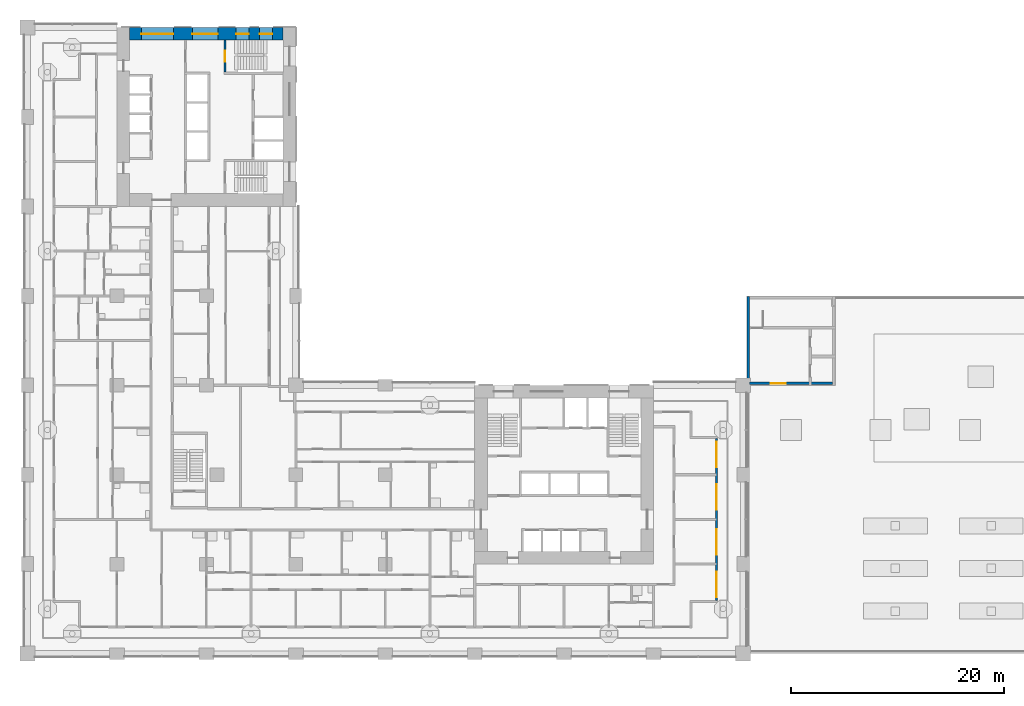
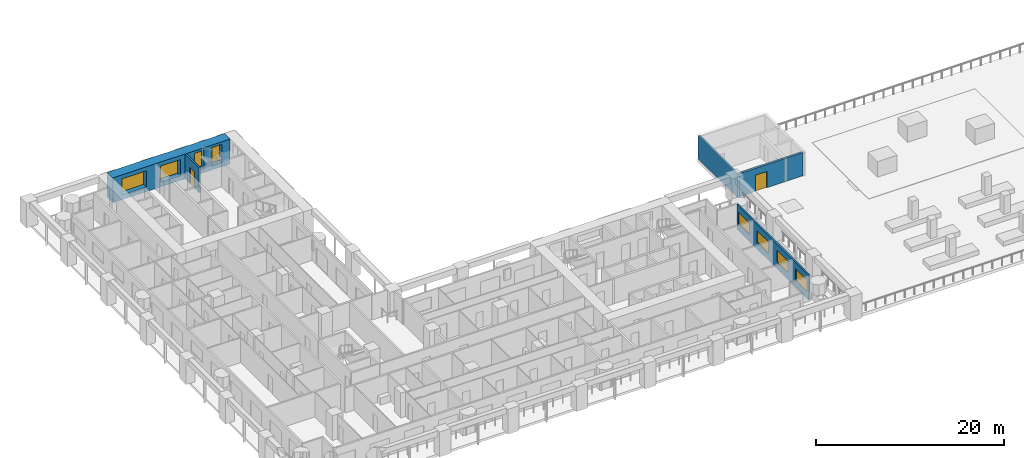
# One storey, part 10 of 23: 8 windows, 5 walls, 2 doors, 10 openings.
"""IFC4 building model written with IfcOpenShell, lengths in metres."""

from ifc_helpers import new_model, si_unit, direction, frame, frame_2d, origin, place, context, subcontext, project, spatial, rectangle, extrude, material, layer, layer_set, type_object, element, fill, save


model = new_model("IFC4")

# Units and contexts
model_context = context("Model", 3, precision=1e-05, world=origin(), true_north=direction((0.0, 1.0)))
body_context = subcontext(model_context, "Body", "Model", "MODEL_VIEW")
ifc_project = project(units=[si_unit("LENGTHUNIT", "METRE"), si_unit("AREAUNIT", "SQUARE_METRE"), si_unit("VOLUMEUNIT", "CUBIC_METRE"), si_unit("PLANEANGLEUNIT", "RADIAN"), si_unit("MASSUNIT", "GRAM", prefix="KILO")], contexts=[model_context])

# Site, building, storey
site_placement = place(None, origin())
site = spatial("IfcSite", under=ifc_project, at=site_placement, CompositionType="ELEMENT")
building_placement = place(site_placement, origin())
building = spatial("IfcBuilding", under=site, at=building_placement, Name="Vermilion Gate Residences", CompositionType="ELEMENT")
storey_placement = place(building_placement, frame((0.0, 0.0, 25.199951171875)))
storey = spatial("IfcBuildingStorey", under=building, at=storey_placement, Name="L04", CompositionType="ELEMENT", Elevation=25.199951171875)

# Wall, openings, windows
ifc_material_1 = material(Name="Insulated steel stud wall with terracotta rainscreen", Category="masonry")
ifc_layer_1 = layer(ifc_material_1, 0.199951171875)
ifc_layer_set_1 = layer_set([ifc_layer_1], Name="EXTERNAL WALL 200 TERRACOTTA RAINSCREEN")
wall_type_1 = type_object("IfcWallType", Name="EXTERNAL WALL 200 TERRACOTTA RAINSCREEN", PredefinedType="SOLIDWALL", material=ifc_layer_set_1)
wall_1_placement = place(storey_placement, frame((64.699951171875, 5.0, 0.0), z_axis=(0.0, 0.0, 1.0), x_axis=(0.0, 1.0, 0.0)))
wall_1 = element("IfcWall", 1, at=wall_1_placement, inside=storey, type_object=wall_type_1, Name="External wall", PredefinedType="SOLIDWALL", context=body_context, shape_type="SweptSolid", body=[
    extrude(rectangle(XDim=15.199951171875, YDim=0.199951171875, at=frame_2d((7.60009765625, 0.0))), origin(), (0.0, 0.0, 1.0), 3.219970703125),
])
opening_1_placement = place(wall_1_placement, frame((0.300048828125, 0.0, 0.89990234375)))
opening_1 = element("IfcOpeningElement", 2, at=opening_1_placement, cuts=wall_1, Name="Opening WE04028", PredefinedType="OPENING", context=body_context, shape_type="SweptSolid", body=[
    extrude(rectangle(XDim=2.39990234375, YDim=1.5, at=frame_2d((1.199951171875, 0.75))), frame((0.0, 0.10986328125, 0.0), z_axis=(0.0, -1.0, 0.0), x_axis=(1.0, 0.0, 0.0)), (0.0, 0.0, 1.0), 0.219970703125),
])
opening_2_placement = place(wall_1_placement, frame((4.300048828125, 0.0, 0.89990234375)))
opening_2 = element("IfcOpeningElement", 3, at=opening_2_placement, cuts=wall_1, Name="Opening WE04029", PredefinedType="OPENING", context=body_context, shape_type="SweptSolid", body=[
    extrude(rectangle(XDim=2.39990234375, YDim=1.5, at=frame_2d((1.199951171875, 0.75))), frame((0.0, 0.10986328125, 0.0), z_axis=(0.0, -1.0, 0.0), x_axis=(1.0, 0.0, 0.0)), (0.0, 0.0, 1.0), 0.219970703125),
])
opening_3_placement = place(wall_1_placement, frame((8.5, 0.0, 0.89990234375)))
opening_3 = element("IfcOpeningElement", 4, at=opening_3_placement, cuts=wall_1, Name="Opening WE04030", PredefinedType="OPENING", context=body_context, shape_type="SweptSolid", body=[
    extrude(rectangle(XDim=2.39990234375, YDim=1.5, at=frame_2d((1.199951171875, 0.75))), frame((0.0, 0.10986328125, 0.0), z_axis=(0.0, -1.0, 0.0), x_axis=(1.0, 0.0, 0.0)), (0.0, 0.0, 1.0), 0.219970703125),
])
opening_4_placement = place(wall_1_placement, frame((12.5, 0.0, 0.89990234375)))
opening_4 = element("IfcOpeningElement", 5, at=opening_4_placement, cuts=wall_1, Name="Opening WE04031", PredefinedType="OPENING", context=body_context, shape_type="SweptSolid", body=[
    extrude(rectangle(XDim=2.39990234375, YDim=1.5, at=frame_2d((1.199951171875, 0.75))), frame((0.0, 0.10986328125, 0.0), z_axis=(0.0, -1.0, 0.0), x_axis=(1.0, 0.0, 0.0)), (0.0, 0.0, 1.0), 0.219970703125),
])
ifc_material_2 = material(Name="Aluminium and clear glass", Category="aluminium")
window_type_1 = type_object("IfcWindowType", Name="WINDOW 2400 X 1500", PartitioningType="SINGLE_PANEL", PredefinedType="WINDOW", material=ifc_material_2)
window_1_placement = place(opening_1_placement, origin())
window_1 = element("IfcWindow", 6, at=window_1_placement, inside=storey, type_object=window_type_1, Name="Window", OverallHeight=1.5, OverallWidth=2.39990234375, PartitioningType="SINGLE_PANEL", PredefinedType="WINDOW", context=body_context, shape_type="SweptSolid", body=[
    extrude(rectangle(XDim=2.39990234375, YDim=1.5, at=frame_2d((1.199951171875, 0.75))), frame((0.0, 0.030029296875, 0.0), z_axis=(0.0, -1.0, 0.0), x_axis=(1.0, 0.0, 0.0)), (0.0, 0.0, 1.0), 0.06005859375),
])
fill(opening_1, window_1)
window_2_placement = place(opening_2_placement, origin())
window_2 = element("IfcWindow", 7, at=window_2_placement, inside=storey, type_object=window_type_1, Name="Window", OverallHeight=1.5, OverallWidth=2.39990234375, PartitioningType="SINGLE_PANEL", PredefinedType="WINDOW", context=body_context, shape_type="SweptSolid", body=[
    extrude(rectangle(XDim=2.39990234375, YDim=1.5, at=frame_2d((1.199951171875, 0.75))), frame((0.0, 0.030029296875, 0.0), z_axis=(0.0, -1.0, 0.0), x_axis=(1.0, 0.0, 0.0)), (0.0, 0.0, 1.0), 0.06005859375),
])
fill(opening_2, window_2)
window_3_placement = place(opening_3_placement, origin())
window_3 = element("IfcWindow", 8, at=window_3_placement, inside=storey, type_object=window_type_1, Name="Window", OverallHeight=1.5, OverallWidth=2.39990234375, PartitioningType="SINGLE_PANEL", PredefinedType="WINDOW", context=body_context, shape_type="SweptSolid", body=[
    extrude(rectangle(XDim=2.39990234375, YDim=1.5, at=frame_2d((1.199951171875, 0.75))), frame((0.0, 0.030029296875, 0.0), z_axis=(0.0, -1.0, 0.0), x_axis=(1.0, 0.0, 0.0)), (0.0, 0.0, 1.0), 0.06005859375),
])
fill(opening_3, window_3)
window_4_placement = place(opening_4_placement, origin())
window_4 = element("IfcWindow", 9, at=window_4_placement, inside=storey, type_object=window_type_1, Name="Window", OverallHeight=1.5, OverallWidth=2.39990234375, PartitioningType="SINGLE_PANEL", PredefinedType="WINDOW", context=body_context, shape_type="SweptSolid", body=[
    extrude(rectangle(XDim=2.39990234375, YDim=1.5, at=frame_2d((1.199951171875, 0.75))), frame((0.0, 0.030029296875, 0.0), z_axis=(0.0, -1.0, 0.0), x_axis=(1.0, 0.0, 0.0)), (0.0, 0.0, 1.0), 0.06005859375),
])
fill(opening_4, window_4)

# Wall, opening, door
ifc_material_3 = material(Name="Concrete C60", Category="concrete")
ifc_layer_2 = layer(ifc_material_3, 0.199951171875)
ifc_layer_set_2 = layer_set([ifc_layer_2], Name="RC CORE INTERNAL WALL 200 C60")
wall_type_2 = type_object("IfcWallType", Name="RC CORE INTERNAL WALL 200 C60", PredefinedType="SHEAR", material=ifc_layer_set_2)
wall_2_placement = place(storey_placement, frame((18.550048828125, 57.60009765625, 0.0), z_axis=(0.0, 0.0, 1.0), x_axis=(0.0, -1.0, 0.0)))
wall_2 = element("IfcWall", 10, at=wall_2_placement, inside=storey, type_object=wall_type_2, Name="Core internal wall B04-STW-S", PredefinedType="SHEAR", context=body_context, shape_type="SweptSolid", body=[
    extrude(rectangle(XDim=3.0, YDim=0.199951171875, at=frame_2d((1.5, 0.0))), origin(), (0.0, 0.0, 1.0), 3.219970703125),
])
opening_5_placement = place(wall_2_placement, frame((1.0, 0.0, 0.0)))
opening_5 = element("IfcOpeningElement", 11, at=opening_5_placement, cuts=wall_2, Name="Opening DK04112", PredefinedType="OPENING", context=body_context, shape_type="SweptSolid", body=[
    extrude(rectangle(XDim=1.0, YDim=2.10009765625, at=frame_2d((0.5, 1.050048828125))), frame((0.0, 0.10986328125, 0.0), z_axis=(0.0, -1.0, 0.0), x_axis=(1.0, 0.0, 0.0)), (0.0, 0.0, 1.0), 0.219970703125),
])
ifc_material_4 = material(Name="Steel", Category="steel")
door_type_1 = type_object("IfcDoorType", Name="FIRE DOOR FD60 1000 X 2100", OperationType="SINGLE_SWING_LEFT", PredefinedType="DOOR", material=ifc_material_4)
door_1_placement = place(opening_5_placement, origin())
door_1 = element("IfcDoor", 12, at=door_1_placement, inside=storey, type_object=door_type_1, Name="Stair door B04", OperationType="SINGLE_SWING_LEFT", OverallHeight=2.10009765625, OverallWidth=1.0, PredefinedType="DOOR", context=body_context, shape_type="SweptSolid", body=[
    extrude(rectangle(XDim=1.0, YDim=2.10009765625, at=frame_2d((0.5, 1.050048828125))), frame((0.0, 0.02490234375, 0.0), z_axis=(0.0, -1.0, 0.0), x_axis=(1.0, 0.0, 0.0)), (0.0, 0.0, 1.0), 0.050048828125),
])
fill(opening_5, door_1)

# Wall, openings, windows
ifc_material_5 = material(Name="Concrete C80 red-oxide pigmented", Category="concrete")
ifc_layer_3 = layer(ifc_material_5, 1.199951171875)
ifc_layer_set_3 = layer_set([ifc_layer_3], Name="RC CORE WALL 1200 C80 RED OXIDE")
wall_type_3 = type_object("IfcWallType", Name="RC CORE WALL 1200 C80 RED OXIDE", PredefinedType="SHEAR", material=ifc_layer_set_3)
wall_3_placement = place(storey_placement, frame((9.60009765625, 58.199951171875, 0.0), z_axis=(0.0, 0.0, 1.0), x_axis=(1.0, 0.0, 0.0)))
wall_3 = element("IfcWall", 13, at=wall_3_placement, inside=storey, type_object=wall_type_3, Name="Core wall B04-OUT-FR", PredefinedType="SHEAR", context=body_context, shape_type="SweptSolid", body=[
    extrude(rectangle(XDim=14.39990234375, YDim=1.199951171875, at=frame_2d((7.199951171875, 0.0))), origin(), (0.0, 0.0, 1.0), 3.219970703125),
])
opening_6_placement = place(wall_3_placement, frame((1.10498046875, 0.0, 0.60009765625)))
opening_6 = element("IfcOpeningElement", 14, at=opening_6_placement, cuts=wall_3, Name="Opening WKB0404", PredefinedType="OPENING", context=body_context, shape_type="SweptSolid", body=[
    extrude(rectangle(XDim=3.0, YDim=2.10009765625, at=frame_2d((1.5, 1.050048828125))), frame((0.0, 0.60986328125, 0.0), z_axis=(0.0, -1.0, 0.0), x_axis=(1.0, 0.0, 0.0)), (0.0, 0.0, 1.0), 1.219970703125),
])
opening_7_placement = place(wall_3_placement, frame((5.875, 0.0, 0.60009765625)))
opening_7 = element("IfcOpeningElement", 15, at=opening_7_placement, cuts=wall_3, Name="Opening WKB0405", PredefinedType="OPENING", context=body_context, shape_type="SweptSolid", body=[
    extrude(rectangle(XDim=2.39990234375, YDim=2.10009765625, at=frame_2d((1.199951171875, 1.050048828125))), frame((0.0, 0.60986328125, 0.0), z_axis=(0.0, -1.0, 0.0), x_axis=(1.0, 0.0, 0.0)), (0.0, 0.0, 1.0), 1.219970703125),
])
opening_8_placement = place(wall_3_placement, frame((9.993408203125, 0.0, 0.5)))
opening_8 = element("IfcOpeningElement", 16, at=opening_8_placement, cuts=wall_3, Name="Opening WKB0406", PredefinedType="OPENING", context=body_context, shape_type="SweptSolid", body=[
    extrude(rectangle(XDim=1.199951171875, YDim=2.39990234375, at=frame_2d((0.60009765625, 1.199951171875))), frame((0.0, 0.60986328125, 0.0), z_axis=(0.0, -1.0, 0.0), x_axis=(1.0, 0.0, 0.0)), (0.0, 0.0, 1.0), 1.219970703125),
])
opening_9_placement = place(wall_3_placement, frame((12.19677734375, 0.0, 0.5)))
opening_9 = element("IfcOpeningElement", 17, at=opening_9_placement, cuts=wall_3, Name="Opening WKB0407", PredefinedType="OPENING", context=body_context, shape_type="SweptSolid", body=[
    extrude(rectangle(XDim=1.199951171875, YDim=2.39990234375, at=frame_2d((0.60009765625, 1.199951171875))), frame((0.0, 0.60986328125, 0.0), z_axis=(0.0, -1.0, 0.0), x_axis=(1.0, 0.0, 0.0)), (0.0, 0.0, 1.0), 1.219970703125),
])
ifc_material_6 = material(Name="Aluminium and clear glass", Category="aluminium")
window_type_2 = type_object("IfcWindowType", Name="CORE LOBBY WINDOW 2400 X 2100", PartitioningType="SINGLE_PANEL", PredefinedType="WINDOW", material=ifc_material_6)
window_5_placement = place(opening_7_placement, origin())
window_5 = element("IfcWindow", 18, at=window_5_placement, inside=storey, type_object=window_type_2, Name="Core lobby window", OverallHeight=2.10009765625, OverallWidth=2.39990234375, PartitioningType="SINGLE_PANEL", PredefinedType="WINDOW", context=body_context, shape_type="SweptSolid", body=[
    extrude(rectangle(XDim=2.39990234375, YDim=2.10009765625, at=frame_2d((1.199951171875, 1.050048828125))), frame((0.0, 0.030029296875, 0.0), z_axis=(0.0, -1.0, 0.0), x_axis=(1.0, 0.0, 0.0)), (0.0, 0.0, 1.0), 0.06005859375),
])
fill(opening_7, window_5)
ifc_material_7 = material(Name="Aluminium and clear glass", Category="aluminium")
window_type_3 = type_object("IfcWindowType", Name="CORE LOBBY WINDOW 3000 X 2100", PartitioningType="SINGLE_PANEL", PredefinedType="WINDOW", material=ifc_material_7)
window_6_placement = place(opening_6_placement, origin())
window_6 = element("IfcWindow", 19, at=window_6_placement, inside=storey, type_object=window_type_3, Name="Core lobby window", OverallHeight=2.10009765625, OverallWidth=3.0, PartitioningType="SINGLE_PANEL", PredefinedType="WINDOW", context=body_context, shape_type="SweptSolid", body=[
    extrude(rectangle(XDim=3.0, YDim=2.10009765625, at=frame_2d((1.5, 1.050048828125))), frame((0.0, 0.030029296875, 0.0), z_axis=(0.0, -1.0, 0.0), x_axis=(1.0, 0.0, 0.0)), (0.0, 0.0, 1.0), 0.06005859375),
])
fill(opening_6, window_6)
ifc_material_8 = material(Name="Aluminium and clear glass", Category="aluminium")
window_type_4 = type_object("IfcWindowType", Name="CORE STAIR WINDOW 1200 X 2400", PartitioningType="SINGLE_PANEL", PredefinedType="WINDOW", material=ifc_material_8)
window_7_placement = place(opening_8_placement, origin())
window_7 = element("IfcWindow", 20, at=window_7_placement, inside=storey, type_object=window_type_4, Name="Core stair window", OverallHeight=2.39990234375, OverallWidth=1.199951171875, PartitioningType="SINGLE_PANEL", PredefinedType="WINDOW", context=body_context, shape_type="SweptSolid", body=[
    extrude(rectangle(XDim=1.199951171875, YDim=2.39990234375, at=frame_2d((0.60009765625, 1.199951171875))), frame((0.0, 0.030029296875, 0.0), z_axis=(0.0, -1.0, 0.0), x_axis=(1.0, 0.0, 0.0)), (0.0, 0.0, 1.0), 0.06005859375),
])
fill(opening_8, window_7)
window_8_placement = place(opening_9_placement, origin())
window_8 = element("IfcWindow", 21, at=window_8_placement, inside=storey, type_object=window_type_4, Name="Core stair window", OverallHeight=2.39990234375, OverallWidth=1.199951171875, PartitioningType="SINGLE_PANEL", PredefinedType="WINDOW", context=body_context, shape_type="SweptSolid", body=[
    extrude(rectangle(XDim=1.199951171875, YDim=2.39990234375, at=frame_2d((0.60009765625, 1.199951171875))), frame((0.0, 0.030029296875, 0.0), z_axis=(0.0, -1.0, 0.0), x_axis=(1.0, 0.0, 0.0)), (0.0, 0.0, 1.0), 0.06005859375),
])
fill(opening_9, window_8)

# Wall, opening, door
ifc_material_9 = material(Name="Concrete C45", Category="concrete")
ifc_layer_4 = layer(ifc_material_9, 0.25)
ifc_layer_set_4 = layer_set([ifc_layer_4], Name="RC CORE WALL 250 C45 (MARKET HALL)")
wall_type_4 = type_object("IfcWallType", Name="RC CORE WALL 250 C45 (MARKET HALL)", PredefinedType="SHEAR", material=ifc_layer_set_4)
wall_4_placement = place(storey_placement, frame((67.800048828125, 25.375, 0.0), z_axis=(0.0, 0.0, 1.0), x_axis=(1.0, 0.0, 0.0)))
wall_4 = element("IfcWall", 22, at=wall_4_placement, inside=storey, type_object=wall_type_4, Name="Core wall L04-5", PredefinedType="SHEAR", context=body_context, shape_type="SweptSolid", body=[
    extrude(rectangle(XDim=7.800048828125, YDim=0.25, at=frame_2d((3.89990234375, 0.0))), origin(), (0.0, 0.0, 1.0), 3.0),
])
opening_10_placement = place(wall_4_placement, frame((2.0, 0.0, 0.0)))
opening_10 = element("IfcOpeningElement", 23, at=opening_10_placement, cuts=wall_4, Name="Opening DH04008", PredefinedType="OPENING", context=body_context, shape_type="SweptSolid", body=[
    extrude(rectangle(XDim=1.39990234375, YDim=2.10009765625, at=frame_2d((0.699951171875, 1.050048828125))), frame((0.0, 0.135009765625, 0.0), z_axis=(0.0, -1.0, 0.0), x_axis=(1.0, 0.0, 0.0)), (0.0, 0.0, 1.0), 0.27001953125),
])
ifc_material_10 = material(Name="Steel", Category="steel")
door_type_2 = type_object("IfcDoorType", Name="EXIT DOOR FD60 1400 X 2100 DOUBLE (MARKET HALL)", OperationType="DOUBLE_DOOR_SINGLE_SWING", PredefinedType="DOOR", material=ifc_material_10)
door_2_placement = place(opening_10_placement, frame((1.39990234375, 0.0, 0.0), z_axis=(0.0, 0.0, 1.0), x_axis=(-1.0, 0.0, 0.0)))
door_2 = element("IfcDoor", 24, at=door_2_placement, inside=storey, type_object=door_type_2, Name="Exit door DH04008", OperationType="DOUBLE_DOOR_SINGLE_SWING", OverallHeight=2.10009765625, OverallWidth=1.39990234375, PredefinedType="DOOR", context=body_context, shape_type="SweptSolid", body=[
    extrude(rectangle(XDim=1.39990234375, YDim=2.10009765625, at=frame_2d((0.699951171875, 1.050048828125))), frame((0.0, 0.02490234375, 0.0), z_axis=(0.0, -1.0, 0.0), x_axis=(1.0, 0.0, 0.0)), (0.0, 0.0, 1.0), 0.050048828125),
])
fill(opening_10, door_2)

# Wall
wall_5_placement = place(storey_placement, frame((67.675048828125, 25.199951171875, 0.0), z_axis=(0.0, 0.0, 1.0), x_axis=(0.0, 1.0, 0.0)))
element("IfcWall", 25, at=wall_5_placement, inside=storey, type_object=wall_type_4, Name="Core wall L04-11", PredefinedType="SHEAR", context=body_context, shape_type="SweptSolid", body=[
    extrude(rectangle(XDim=8.35009765625, YDim=0.25, at=frame_2d((4.175048828125, 0.0))), origin(), (0.0, 0.0, 1.0), 3.0),
])

save(model, "model.ifc")
